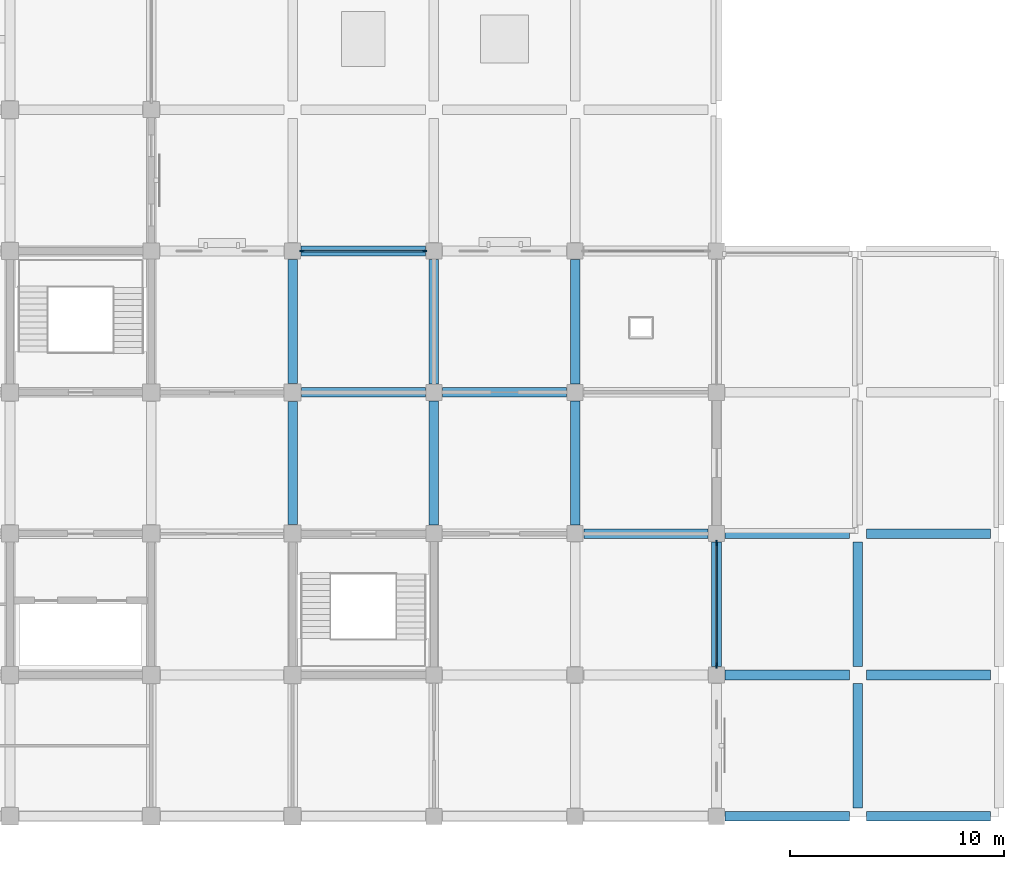
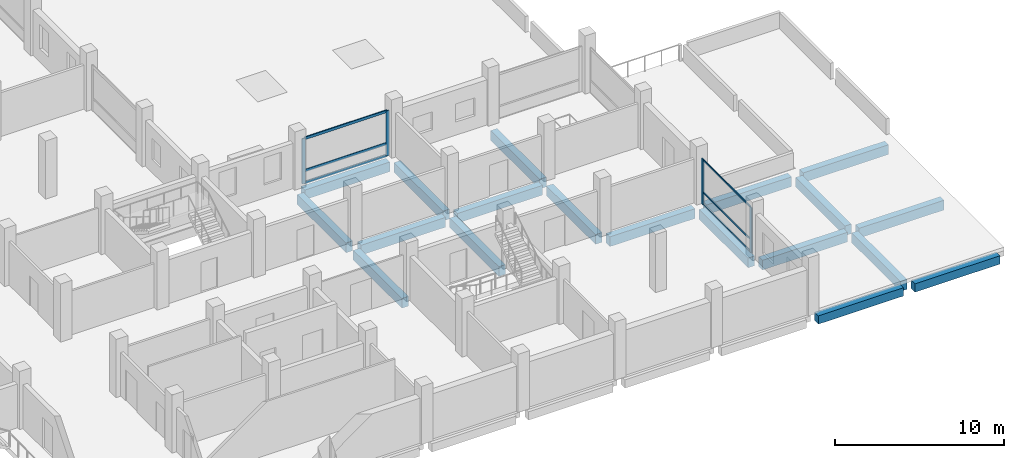
# One storey, part 2 of 23: 19 beams, 10 members, 2 elements without a shape of their own.
"""IFC4 building model written with IfcOpenShell, lengths in metres."""

from ifc_helpers import new_model, si_unit, direction, frame, origin, origin_2d, place, context, subcontext, project, spatial, rectangle, extrude, material, material_profile, profile_set, type_object, element, aggregate, save


model = new_model("IFC4")

# Units and contexts
model_context = context("Model", 3, precision=1e-05, world=origin(), true_north=direction((0.0, 1.0)))
body_context = subcontext(model_context, "Body", "Model", "MODEL_VIEW")
ifc_project = project(units=[si_unit("LENGTHUNIT", "METRE"), si_unit("AREAUNIT", "SQUARE_METRE"), si_unit("VOLUMEUNIT", "CUBIC_METRE"), si_unit("PLANEANGLEUNIT", "RADIAN"), si_unit("MASSUNIT", "GRAM", prefix="KILO")], contexts=[model_context])

# Site, building, storey
site_placement = place(None, origin())
site = spatial("IfcSite", under=ifc_project, at=site_placement, CompositionType="ELEMENT")
building_placement = place(site_placement, origin())
building = spatial("IfcBuilding", under=site, at=building_placement, Name="Rusizi Kubbe Research Institute", CompositionType="ELEMENT")
storey_placement = place(building_placement, frame((0.0, 0.0, 18.60009765625)))
storey = spatial("IfcBuildingStorey", under=building, at=storey_placement, Name="L04", CompositionType="ELEMENT", Elevation=18.60009765625)

# Beams
ifc_material_1 = material(Name="Concrete C40/50", Category="concrete")
ifc_material_profile_1 = material_profile(ifc_material_1, rectangle(XDim=0.449951171875, YDim=0.60009765625, at=origin_2d()), Name="RC450x600")
ifc_profile_set_1 = profile_set([ifc_material_profile_1], Name="Concrete C40/50")
beam_type_1 = type_object("IfcBeamType", Name="BM-RC450x600", PredefinedType="SPANDREL", material=ifc_profile_set_1)
for number, where, z_axis, x_axis, name in (
    (1, (53.199951171875, 0.0, -0.64013671875), (1.0, 0.0, 0.0), (0.0, 1.0, 0.0), "Grid Beam H L04 (8,0)"),
    (2, (59.800048828125, 0.0, -0.64013671875), (1.0, 0.0, 0.0), (0.0, 1.0, 0.0), "Grid Beam H L04 (9,0)"),
):
    element("IfcBeam", number, at=place(storey_placement, frame(where, z_axis=z_axis, x_axis=x_axis)), inside=storey, type_object=beam_type_1, Name=name, PredefinedType="SPANDREL", context=body_context, shape_type="SweptSolid", body=[
        extrude(rectangle(XDim=0.449951171875, YDim=0.60009765625, at=origin_2d()), origin(), (0.0, 0.0, 1.0), 5.800048828125),
    ])
ifc_material_2 = material(Name="Concrete C40/50", Category="concrete")
ifc_material_profile_2 = material_profile(ifc_material_2, rectangle(XDim=0.449951171875, YDim=0.699951171875, at=origin_2d()), Name="RC450x700B")
ifc_profile_set_2 = profile_set([ifc_material_profile_2], Name="Concrete C40/50")
beam_type_2 = type_object("IfcBeamType", Name="BM-RC450x700", PredefinedType="BEAM", material=ifc_profile_set_2)
beam_1_placement = place(storey_placement, frame((33.425048828125, 19.800048828125, -0.690185546875), z_axis=(1.0, 0.0, 0.0), x_axis=(0.0, 1.0, 0.0)))
element("IfcBeam", 3, at=beam_1_placement, inside=storey, type_object=beam_type_2, Name="Grid Beam H L04 (5,3)", PredefinedType="BEAM", context=body_context, shape_type="SweptSolid", body=[
    extrude(rectangle(XDim=0.449951171875, YDim=0.699951171875, at=origin_2d()), origin(), (0.0, 0.0, 1.0), 5.77490234375),
])
for number, where, z_axis, x_axis, name in (
    (4, (33.39990234375, 26.39990234375, -0.690185546875), (1.0, 0.0, 0.0), (0.0, 1.0, 0.0), "Grid Beam H L04 (5,4)"),
    (5, (40.0, 19.800048828125, -0.690185546875), (1.0, 0.0, 0.0), (0.0, 1.0, 0.0), "Grid Beam H L04 (6,3)"),
):
    element("IfcBeam", number, at=place(storey_placement, frame(where, z_axis=z_axis, x_axis=x_axis)), inside=storey, type_object=beam_type_2, Name=name, PredefinedType="BEAM", context=body_context, shape_type="SweptSolid", body=[
        extrude(rectangle(XDim=0.449951171875, YDim=0.699951171875, at=origin_2d()), origin(), (0.0, 0.0, 1.0), 5.800048828125),
    ])
beam_2_placement = place(storey_placement, frame((46.60009765625, 13.199951171875, -0.690185546875), z_axis=(1.0, 0.0, 0.0), x_axis=(0.0, 1.0, 0.0)))
element("IfcBeam", 6, at=beam_2_placement, inside=storey, type_object=beam_type_2, Name="Grid Beam H L04 (7,2)", PredefinedType="BEAM", context=body_context, shape_type="SweptSolid", body=[
    extrude(rectangle(XDim=0.449951171875, YDim=0.699951171875, at=origin_2d()), origin(), (0.0, 0.0, 1.0), 5.7998046875),
])
for number, where, z_axis, x_axis, name in (
    (7, (53.199951171875, 6.60009765625, -0.690185546875), (1.0, 0.0, 0.0), (0.0, 1.0, 0.0), "Grid Beam H L04 (8,1)"),
    (8, (53.199951171875, 13.199951171875, -0.690185546875), (1.0, 0.0, 0.0), (0.0, 1.0, 0.0), "Grid Beam H L04 (8,2)"),
    (9, (59.800048828125, 6.60009765625, -0.690185546875), (1.0, 0.0, 0.0), (0.0, 1.0, 0.0), "Grid Beam H L04 (9,1)"),
    (10, (59.800048828125, 13.199951171875, -0.690185546875), (1.0, 0.0, 0.0), (0.0, 1.0, 0.0), "Grid Beam H L04 (9,2)"),
):
    element("IfcBeam", number, at=place(storey_placement, frame(where, z_axis=z_axis, x_axis=x_axis)), inside=storey, type_object=beam_type_2, Name=name, PredefinedType="BEAM", context=body_context, shape_type="SweptSolid", body=[
        extrude(rectangle(XDim=0.449951171875, YDim=0.699951171875, at=origin_2d()), origin(), (0.0, 0.0, 1.0), 5.800048828125),
    ])
beam_3_placement = place(storey_placement, frame((33.0, 13.625, -0.690185546875), z_axis=(0.0, 1.0, 0.0), x_axis=(-1.0, 0.0, 0.0)))
element("IfcBeam", 11, at=beam_3_placement, inside=storey, type_object=beam_type_2, Name="Grid Beam V L04 (5,2)", PredefinedType="BEAM", context=body_context, shape_type="SweptSolid", body=[
    extrude(rectangle(XDim=0.449951171875, YDim=0.699951171875, at=origin_2d()), origin(), (0.0, 0.0, 1.0), 5.75),
])
beam_4_placement = place(storey_placement, frame((33.0, 20.22509765625, -0.690185546875), z_axis=(0.0, 1.0, 0.0), x_axis=(-1.0, 0.0, 0.0)))
element("IfcBeam", 12, at=beam_4_placement, inside=storey, type_object=beam_type_2, Name="Grid Beam V L04 (5,3)", PredefinedType="BEAM", context=body_context, shape_type="SweptSolid", body=[
    extrude(rectangle(XDim=0.449951171875, YDim=0.699951171875, at=origin_2d()), origin(), (0.0, 0.0, 1.0), 5.77490234375),
])
beam_5_placement = place(storey_placement, frame((39.60009765625, 13.60009765625, -0.690185546875), z_axis=(0.0, 1.0, 0.0), x_axis=(-1.0, 0.0, 0.0)))
element("IfcBeam", 13, at=beam_5_placement, inside=storey, type_object=beam_type_2, Name="Grid Beam V L04 (6,2)", PredefinedType="BEAM", context=body_context, shape_type="SweptSolid", body=[
    extrude(rectangle(XDim=0.449951171875, YDim=0.699951171875, at=origin_2d()), origin(), (0.0, 0.0, 1.0), 5.7998046875),
])
beam_6_placement = place(storey_placement, frame((39.60009765625, 20.199951171875, -0.690185546875), z_axis=(0.0, 1.0, 0.0), x_axis=(-1.0, 0.0, 0.0)))
element("IfcBeam", 14, at=beam_6_placement, inside=storey, type_object=beam_type_2, Name="Grid Beam V L04 (6,3)", PredefinedType="BEAM", context=body_context, shape_type="SweptSolid", body=[
    extrude(rectangle(XDim=0.449951171875, YDim=0.699951171875, at=origin_2d()), origin(), (0.0, 0.0, 1.0), 5.800048828125),
])
beam_7_placement = place(storey_placement, frame((46.199951171875, 13.60009765625, -0.690185546875), z_axis=(0.0, 1.0, 0.0), x_axis=(-1.0, 0.0, 0.0)))
element("IfcBeam", 15, at=beam_7_placement, inside=storey, type_object=beam_type_2, Name="Grid Beam V L04 (7,2)", PredefinedType="BEAM", context=body_context, shape_type="SweptSolid", body=[
    extrude(rectangle(XDim=0.449951171875, YDim=0.699951171875, at=origin_2d()), origin(), (0.0, 0.0, 1.0), 5.7998046875),
])
for number, where, z_axis, x_axis, name in (
    (16, (46.199951171875, 20.199951171875, -0.690185546875), (0.0, 1.0, 0.0), (-1.0, 0.0, 0.0), "Grid Beam V L04 (7,3)"),
    (17, (52.800048828125, 7.0, -0.690185546875), (0.0, 1.0, 0.0), (-1.0, 0.0, 0.0), "Grid Beam V L04 (8,1)"),
    (18, (59.39990234375, 0.39990234375, -0.690185546875), (0.0, 1.0, 0.0), (-1.0, 0.0, 0.0), "Grid Beam V L04 (9,0)"),
    (19, (59.39990234375, 7.0, -0.690185546875), (0.0, 1.0, 0.0), (-1.0, 0.0, 0.0), "Grid Beam V L04 (9,1)"),
):
    element("IfcBeam", number, at=place(storey_placement, frame(where, z_axis=z_axis, x_axis=x_axis)), inside=storey, type_object=beam_type_2, Name=name, PredefinedType="BEAM", context=body_context, shape_type="SweptSolid", body=[
        extrude(rectangle(XDim=0.449951171875, YDim=0.699951171875, at=origin_2d()), origin(), (0.0, 0.0, 1.0), 5.800048828125),
    ])

# Curtain wall, members
ifc_material_3 = material(Name="Thermally Broken Aluminium and Low-E Glazing", Category="aluminium")
curtain_wall_type = type_object("IfcCurtainWallType", Name="CW-07", PredefinedType="NOTDEFINED", material=ifc_material_3)
curtain_wall_1_placement = place(storey_placement, origin())
curtain_wall_1 = element("IfcCurtainWall", 20, at=curtain_wall_1_placement, inside=storey, type_object=curtain_wall_type, Name="Unitised Facade Curtain Wall CW-L04-H-05-04", PredefinedType="NOTDEFINED")
ifc_material_4 = material(Name="Aluminium Alloy 6063-T6", Category="aluminium")
ifc_material_profile_3 = material_profile(ifc_material_4, rectangle(XDim=0.070068359375, YDim=0.219970703125, at=origin_2d()), Name="ALU-M 70x220")
ifc_profile_set_3 = profile_set([ifc_material_profile_3], Name="Aluminium Alloy 6063-T6")
member_type_1 = type_object("IfcMemberType", Name="ML-04", PredefinedType="MULLION", material=ifc_profile_set_3)
member_1_placement = place(storey_placement, frame((33.43994140625, 26.39990234375, 0.0), z_axis=(0.0, 0.0, 1.0), x_axis=(0.0, 1.0, 0.0)))
member_1 = element("IfcMember", 21, at=member_1_placement, type_object=member_type_1, Name="CW-07 mullion 1", PredefinedType="MULLION", context=body_context, shape_type="SweptSolid", body=[
    extrude(rectangle(XDim=0.070068359375, YDim=0.219970703125, at=origin_2d()), origin(), (0.0, 0.0, 1.0), 3.260009765625),
])
member_2_placement = place(storey_placement, frame((39.159912109375, 26.39990234375, 0.0), z_axis=(0.0, 0.0, 1.0), x_axis=(0.0, 1.0, 0.0)))
member_2 = element("IfcMember", 22, at=member_2_placement, type_object=member_type_1, Name="CW-07 mullion 2", PredefinedType="MULLION", context=body_context, shape_type="SweptSolid", body=[
    extrude(rectangle(XDim=0.070068359375, YDim=0.219970703125, at=origin_2d()), origin(), (0.0, 0.0, 1.0), 3.260009765625),
])

curtain_wall_2_placement = place(storey_placement, origin())
curtain_wall_2 = element("IfcCurtainWall", 23, at=curtain_wall_2_placement, inside=storey, type_object=curtain_wall_type, Name="Unitised Facade Curtain Wall CW-L04-V-08-01", PredefinedType="NOTDEFINED")
ifc_material_5 = material(Name="Aluminium Alloy 6063-T6", Category="aluminium")
ifc_material_profile_4 = material_profile(ifc_material_5, rectangle(XDim=0.074951171875, YDim=0.25, at=origin_2d()), Name="ALU-M 75x250")
ifc_profile_set_4 = profile_set([ifc_material_profile_4], Name="Aluminium Alloy 6063-T6")
member_type_2 = type_object("IfcMemberType", Name="ML-05", PredefinedType="MULLION", material=ifc_profile_set_4)
member_3_placement = place(storey_placement, frame((52.800048828125, 7.04248046875, 0.0), z_axis=(0.0, 0.0, 1.0), x_axis=(-1.0, 0.0, 0.0)))
member_3 = element("IfcMember", 24, at=member_3_placement, type_object=member_type_2, Name="CW-07 mullion 1", PredefinedType="MULLION", context=body_context, shape_type="SweptSolid", body=[
    extrude(rectangle(XDim=0.074951171875, YDim=0.25, at=origin_2d()), origin(), (0.0, 0.0, 1.0), 3.260009765625),
])
member_4_placement = place(storey_placement, frame((52.800048828125, 12.757568359375, 0.0), z_axis=(0.0, 0.0, 1.0), x_axis=(-1.0, 0.0, 0.0)))
member_4 = element("IfcMember", 25, at=member_4_placement, type_object=member_type_2, Name="CW-07 mullion 2", PredefinedType="MULLION", context=body_context, shape_type="SweptSolid", body=[
    extrude(rectangle(XDim=0.074951171875, YDim=0.25, at=origin_2d()), origin(), (0.0, 0.0, 1.0), 3.260009765625),
])
ifc_material_6 = material(Name="Aluminium Alloy 6063-T6", Category="aluminium")
ifc_material_profile_5 = material_profile(ifc_material_6, rectangle(XDim=0.06005859375, YDim=0.1201171875, at=origin_2d()), Name="ALU-T 60x120")
ifc_profile_set_5 = profile_set([ifc_material_profile_5], Name="Aluminium Alloy 6063-T6")
member_type_3 = type_object("IfcMemberType", Name="TR-01", PredefinedType="USERDEFINED", material=ifc_profile_set_5)
member_5_placement = place(storey_placement, frame((52.800048828125, 7.080078125, 0.02978515625), z_axis=(0.0, 1.0, 0.0), x_axis=(-1.0, 0.0, 0.0)))
member_5 = element("IfcMember", 26, at=member_5_placement, type_object=member_type_3, Name="CW-07 transom 1.1", ObjectType="TRANSOM", PredefinedType="USERDEFINED", context=body_context, shape_type="SweptSolid", body=[
    extrude(rectangle(XDim=0.06005859375, YDim=0.1201171875, at=origin_2d()), origin(), (0.0, 0.0, 1.0), 5.639892578125),
])
member_6_placement = place(storey_placement, frame((52.800048828125, 7.080078125, 0.89990234375), z_axis=(0.0, 1.0, 0.0), x_axis=(-1.0, 0.0, 0.0)))
member_6 = element("IfcMember", 27, at=member_6_placement, type_object=member_type_3, Name="CW-07 transom 1.2", ObjectType="TRANSOM", PredefinedType="USERDEFINED", context=body_context, shape_type="SweptSolid", body=[
    extrude(rectangle(XDim=0.06005859375, YDim=0.1201171875, at=origin_2d()), origin(), (0.0, 0.0, 1.0), 5.639892578125),
])
member_7_placement = place(storey_placement, frame((52.800048828125, 7.080078125, 3.22998046875), z_axis=(0.0, 1.0, 0.0), x_axis=(-1.0, 0.0, 0.0)))
member_7 = element("IfcMember", 28, at=member_7_placement, type_object=member_type_3, Name="CW-07 transom 1.3", ObjectType="TRANSOM", PredefinedType="USERDEFINED", context=body_context, shape_type="SweptSolid", body=[
    extrude(rectangle(XDim=0.06005859375, YDim=0.1201171875, at=origin_2d()), origin(), (0.0, 0.0, 1.0), 5.639892578125),
])
aggregate(curtain_wall_2, [member_3, member_4, member_5, member_6, member_7])

# Member
ifc_material_7 = material(Name="Aluminium Alloy 6063-T6", Category="aluminium")
ifc_material_profile_6 = material_profile(ifc_material_7, rectangle(XDim=0.070068359375, YDim=0.18994140625, at=origin_2d()), Name="ALU-T 70x190")
ifc_profile_set_6 = profile_set([ifc_material_profile_6], Name="Aluminium Alloy 6063-T6")
member_type_4 = type_object("IfcMemberType", Name="TR-04", PredefinedType="USERDEFINED", material=ifc_profile_set_6)
member_8_placement = place(storey_placement, frame((33.47509765625, 26.39990234375, 0.034912109375), z_axis=(1.0, 0.0, 0.0), x_axis=(0.0, 1.0, 0.0)))
member_8 = element("IfcMember", 29, at=member_8_placement, type_object=member_type_4, Name="CW-07 transom 1.1", ObjectType="TRANSOM", PredefinedType="USERDEFINED", context=body_context, shape_type="SweptSolid", body=[
    extrude(rectangle(XDim=0.070068359375, YDim=0.18994140625, at=origin_2d()), origin(), (0.0, 0.0, 1.0), 5.64990234375),
])

member_9_placement = place(storey_placement, frame((33.47509765625, 26.39990234375, 0.89990234375), z_axis=(1.0, 0.0, 0.0), x_axis=(0.0, 1.0, 0.0)))
member_9 = element("IfcMember", 30, at=member_9_placement, type_object=member_type_4, Name="CW-07 transom 1.2", ObjectType="TRANSOM", PredefinedType="USERDEFINED", context=body_context, shape_type="SweptSolid", body=[
    extrude(rectangle(XDim=0.070068359375, YDim=0.18994140625, at=origin_2d()), origin(), (0.0, 0.0, 1.0), 5.64990234375),
])

member_10_placement = place(storey_placement, frame((33.47509765625, 26.39990234375, 3.224853515625), z_axis=(1.0, 0.0, 0.0), x_axis=(0.0, 1.0, 0.0)))
member_10 = element("IfcMember", 31, at=member_10_placement, type_object=member_type_4, Name="CW-07 transom 1.3", ObjectType="TRANSOM", PredefinedType="USERDEFINED", context=body_context, shape_type="SweptSolid", body=[
    extrude(rectangle(XDim=0.070068359375, YDim=0.18994140625, at=origin_2d()), origin(), (0.0, 0.0, 1.0), 5.64990234375),
])

aggregate(curtain_wall_1, [member_1, member_2, member_8, member_9, member_10])

save(model, "model.ifc")
